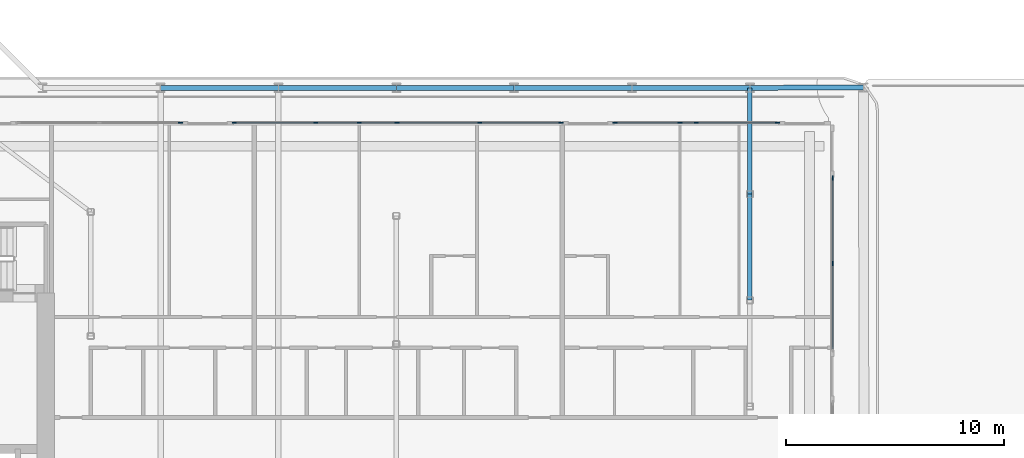
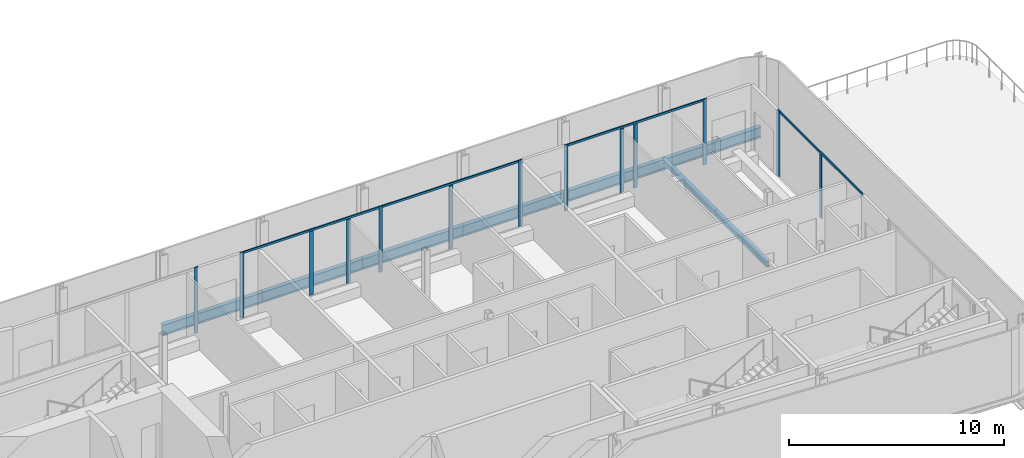
# One storey, part 6 of 27: 17 members, 8 beams, 5 elements without a shape of their own.
"""IFC4 building model written with IfcOpenShell, lengths in metres."""

import ifcopenshell
import ifcopenshell.guid

model = None  # the IFC model being written
_history = None  # IfcOwnerHistory: only IFC2X3 demands one
_inside = {}  # id of a spatial element -> (the spatial element, [elements in it])
_under = {}  # id of a project, library or spatial element -> (it, [spatial elements below it])
_declared = {}  # id of a project -> (the project, [libraries it declares])
_typed = {}  # id of a type object -> (the type object, [elements of that type])
_made_of = {}  # id of a material, layer set ... -> (it, [elements and type objects made of it])


def new_model(schema):
    """Start an empty IFC model of exactly this schema.

    Asked for "IFC4X3", IfcOpenShell would pick the latest addendum, in which some entities
    have other attributes; the version numbers below select the first issue.
    IFC2X3 requires an IfcOwnerHistory on every rooted entity: one is made here for all.
    """
    global model, _history
    if schema == "IFC4X3":
        model = ifcopenshell.file(schema_version=(4, 3, 0, 0))
    else:
        model = ifcopenshell.file(schema=schema)
    _inside.clear()
    _under.clear()
    _declared.clear()
    _typed.clear()
    _made_of.clear()
    _history = None
    if model.schema == "IFC2X3":
        org = make("IfcOrganization", Name="unknown")
        user = make(
            "IfcPersonAndOrganization",
            ThePerson=make("IfcPerson", FamilyName="unknown"),
            TheOrganization=org,
        )
        app = make(
            "IfcApplication",
            ApplicationDeveloper=org,
            Version="unknown",
            ApplicationFullName="unknown",
            ApplicationIdentifier="unknown",
        )
        _history = make(
            "IfcOwnerHistory",
            OwningUser=user,
            OwningApplication=app,
            ChangeAction="ADDED",
            CreationDate=0,
        )
    return model


def make(cls, **values):
    """One entity of the class cls with the attributes given. An attribute that is None is left unset."""
    return model.create_entity(
        cls, **{name: value for name, value in values.items() if value is not None}
    )


def rooted(cls, **values):
    """An entity with a GlobalId (a new one), such as an element, a storey or a relation."""
    return make(cls, GlobalId=ifcopenshell.guid.new(), OwnerHistory=_history, **values)


def si_unit(unit_type, name, prefix=None):
    """IfcSIUnit, for example si_unit("LENGTHUNIT", "METRE", prefix="MILLI")."""
    return make("IfcSIUnit", UnitType=unit_type, Prefix=prefix, Name=name)


def assignment(units):
    """IfcUnitAssignment: the units of a project."""
    return None if units is None else make("IfcUnitAssignment", Units=units)


def point(xyz):
    """IfcCartesianPoint."""
    return None if xyz is None else make("IfcCartesianPoint", Coordinates=xyz)


def direction(xyz):
    """IfcDirection."""
    return None if xyz is None else make("IfcDirection", DirectionRatios=xyz)


def frame(location, z_axis=None, x_axis=None):
    """IfcAxis2Placement3D, a coordinate frame: its origin and axes. An axis left out is left unset."""
    return make(
        "IfcAxis2Placement3D",
        Location=point(location),
        Axis=direction(z_axis),
        RefDirection=direction(x_axis),
    )


def frame_2d(location, x_axis=None):
    """IfcAxis2Placement2D, a coordinate frame in the plane: its origin and x axis."""
    return make(
        "IfcAxis2Placement2D", Location=point(location), RefDirection=direction(x_axis)
    )


def origin():
    """The frame at (0, 0, 0) with its axes left unset."""
    return frame((0.0, 0.0, 0.0))


def origin_2d():
    """The frame at (0, 0) in the plane with its x axis left unset."""
    return frame_2d((0.0, 0.0))


def place(relative_to, where):
    """IfcLocalPlacement: puts the frame where relative to a parent placement (None: the world)."""
    return make(
        "IfcLocalPlacement", PlacementRelTo=relative_to, RelativePlacement=where
    )


def context(
    kind, dimensions, precision=None, world=None, true_north=None, identifier=None
):
    """IfcGeometricRepresentationContext, for example the 3D "Model" context."""
    return make(
        "IfcGeometricRepresentationContext",
        ContextIdentifier=identifier,
        ContextType=kind,
        CoordinateSpaceDimension=dimensions,
        Precision=precision,
        WorldCoordinateSystem=world,
        TrueNorth=true_north,
    )


def subcontext(parent, identifier, kind, view, scale=None):
    """IfcGeometricRepresentationSubContext, for example "Body" below "Model"."""
    return make(
        "IfcGeometricRepresentationSubContext",
        ContextIdentifier=identifier,
        ContextType=kind,
        ParentContext=parent,
        TargetScale=scale,
        TargetView=view,
    )


def project(units=None, contexts=None):
    """IfcProject with its units and contexts."""
    return rooted(
        "IfcProject",
        Name="project",
        RepresentationContexts=contexts,
        UnitsInContext=assignment(units),
    )


def spatial(cls, under=None, at=None, **own):
    """A site, building, storey or space (cls), placed at a placement, below another one or the project."""
    s = rooted(cls, ObjectPlacement=at, **own)
    if under is not None:
        _under.setdefault(under.id(), (under, []))[1].append(s)
    return s


def profile(cls, at=None, kind="AREA", **sizes):
    """A parametric profile (cls). Its sizes go by their IFC names, for example OverallWidth=200.0."""
    return make(cls, ProfileType=kind, Position=at, **sizes)


def rectangle(**sizes):
    """IfcRectangleProfileDef."""
    return profile("IfcRectangleProfileDef", **sizes)


def i_section(**sizes):
    """IfcIShapeProfileDef."""
    return profile("IfcIShapeProfileDef", **sizes)


def extrude(swept, where, along, depth):
    """IfcExtrudedAreaSolid: the profile swept, set in the frame where, extruded along a direction by depth."""
    return make(
        "IfcExtrudedAreaSolid",
        SweptArea=swept,
        Position=where,
        ExtrudedDirection=direction(along),
        Depth=depth,
    )


def shape(context_of_items, identifier, shape_type, items):
    """IfcShapeRepresentation: the items that make up one representation, for example the "Body"."""
    return make(
        "IfcShapeRepresentation",
        ContextOfItems=context_of_items,
        RepresentationIdentifier=identifier,
        RepresentationType=shape_type,
        Items=items,
    )


def material(Name=None, Category=None):
    """IfcMaterial."""
    return make("IfcMaterial", Name=Name, Category=Category)


def layer(
    of_material, thickness, ventilated=None, Name=None, Category=None, Priority=None
):
    """IfcMaterialLayer: one layer of a wall or slab, of a material (None: an air gap)."""
    return make(
        "IfcMaterialLayer",
        Material=of_material,
        LayerThickness=thickness,
        IsVentilated=ventilated,
        Name=Name,
        Category=Category,
        Priority=Priority,
    )


def layer_set(layers, Name=None):
    """IfcMaterialLayerSet."""
    return make("IfcMaterialLayerSet", MaterialLayers=layers, LayerSetName=Name)


def material_profile(
    of_material, cross_section, Name=None, Category=None, Priority=None
):
    """IfcMaterialProfile: a cross section and its material."""
    return make(
        "IfcMaterialProfile",
        Name=Name,
        Material=of_material,
        Profile=cross_section,
        Priority=Priority,
        Category=Category,
    )


def profile_set(profiles, Name=None, composite=None):
    """IfcMaterialProfileSet."""
    return make(
        "IfcMaterialProfileSet",
        Name=Name,
        MaterialProfiles=profiles,
        CompositeProfile=composite,
    )


def made_of(thing, what):
    """Note that an element or type object is made of a material, layer set ...; save() writes the relation."""
    if what is not None:
        _made_of.setdefault(what.id(), (what, []))[1].append(thing)
    return thing


def type_object(cls, material=None, **own):
    """A type object (cls), such as IfcWallType, which elements share."""
    return made_of(rooted(cls, **own), material)


def element(
    cls,
    number,
    at=None,
    inside=None,
    cuts=None,
    type_object=None,
    material=None,
    context=None,
    identifier="Body",
    shape_type=None,
    held_by="IfcProductDefinitionShape",
    body=None,
    shapes=None,
    **own,
):
    """One element of the class cls, such as IfcWall. Its Tag is "e" and its number.

    at: its placement. inside: the storey or other place that contains it. cuts: it is an
    opening in that element (IfcRelVoidsElement). A single representation is given by context,
    identifier, shape_type and body (its items); several are given by shapes. held_by: the class
    of the entity that holds the representations. save() writes the other relations.
    """
    e = rooted(cls, Tag="e%d" % number, ObjectPlacement=at, **own)
    if body is not None:
        shapes = [shape(context, identifier, shape_type, body)]
    if shapes is not None:
        e.Representation = make(held_by, Representations=shapes)
    if inside is not None:
        _inside.setdefault(inside.id(), (inside, []))[1].append(e)
    if cuts is not None:
        rooted(
            "IfcRelVoidsElement", RelatingBuildingElement=cuts, RelatedOpeningElement=e
        )
    if type_object is not None:
        _typed.setdefault(type_object.id(), (type_object, []))[1].append(e)
    return made_of(e, material)


def aggregate(whole, parts):
    """IfcRelAggregates: a whole, such as a stair, and the parts it consists of."""
    return rooted("IfcRelAggregates", RelatingObject=whole, RelatedObjects=parts)


def save(model, path):
    """Write the relations noted so far, then the file.

    IfcRelAggregates (storeys below a building ...), IfcRelContainedInSpatialStructure (elements
    in a storey), IfcRelDefinesByType, IfcRelAssociatesMaterial and IfcRelDeclares: one each for
    every whole, place, type object, material and project.
    """
    for whole, parts in _under.values():
        aggregate(whole, parts)
    for where, things in _inside.values():
        rooted(
            "IfcRelContainedInSpatialStructure",
            RelatedElements=things,
            RelatingStructure=where,
        )
    for kind, things in _typed.values():
        rooted("IfcRelDefinesByType", RelatedObjects=things, RelatingType=kind)
    for what, things in _made_of.values():
        rooted("IfcRelAssociatesMaterial", RelatedObjects=things, RelatingMaterial=what)
    for by, libraries in _declared.values():
        rooted("IfcRelDeclares", RelatingContext=by, RelatedDefinitions=libraries)
    model.write(path)


model = new_model("IFC4")

# Units and contexts
model_context = context("Model", 3, precision=1e-05, world=origin(), true_north=direction((0.0, 1.0)))
body_context = subcontext(model_context, "Body", "Model", "MODEL_VIEW")
ifc_project = project(units=[si_unit("LENGTHUNIT", "METRE"), si_unit("AREAUNIT", "SQUARE_METRE"), si_unit("VOLUMEUNIT", "CUBIC_METRE"), si_unit("PLANEANGLEUNIT", "RADIAN"), si_unit("MASSUNIT", "GRAM", prefix="KILO")], contexts=[model_context])

# Site, building, storey
site_placement = place(None, origin())
site = spatial("IfcSite", under=ifc_project, at=site_placement, CompositionType="ELEMENT")
building_placement = place(site_placement, origin())
building = spatial("IfcBuilding", under=site, at=building_placement, Name="Kheshtan School and Residences Tower", CompositionType="ELEMENT")
storey_placement = place(building_placement, frame((0.0, 0.0, 152.60009765625)))
storey = spatial("IfcBuildingStorey", under=building, at=storey_placement, Name="L35", CompositionType="ELEMENT", Elevation=152.60009765625)

# Beams
ifc_material_1 = material(Name="Steel ASTM A992 Grade 50", Category="steel")
ifc_material_profile_1 = material_profile(ifc_material_1, i_section(OverallWidth=0.202880859375, OverallDepth=0.302978515625, WebThickness=0.007568359375, FlangeThickness=0.01318359375, FilletRadius=0.009033203125, at=origin_2d()), Name="W310x60")
ifc_profile_set_1 = profile_set([ifc_material_profile_1], Name="Steel ASTM A992 Grade 50")
beam_type_1 = type_object("IfcBeamType", Name="Beam FB1 W310x60 ASTM A992 Grade 50", PredefinedType="BEAM", material=ifc_profile_set_1)
for number, where, z_axis, x_axis, name in (
    (1, (85.39990234375, 45.60009765625, -0.301513671875), (0.0, -1.0, 0.0), (1.0, 0.0, 0.0), "Floor beam C067"),
    (2, (85.39990234375, 40.735107421875, -0.301513671875), (0.0, -1.0, 0.0), (1.0, 0.0, 0.0), "Floor beam IC"),
):
    element("IfcBeam", number, at=place(storey_placement, frame(where, z_axis=z_axis, x_axis=x_axis)), inside=storey, type_object=beam_type_1, Name=name, PredefinedType="BEAM", context=body_context, shape_type="SweptSolid", body=[
        extrude(i_section(OverallWidth=0.202880859375, OverallDepth=0.302978515625, WebThickness=0.007568359375, FlangeThickness=0.01318359375, FilletRadius=0.009033203125, at=origin_2d()), origin(), (0.0, 0.0, 1.0), 4.864990234375),
    ])
ifc_material_profile_2 = material_profile(ifc_material_1, i_section(OverallWidth=0.22802734375, OverallDepth=0.60302734375, WebThickness=0.010498046875, FlangeThickness=0.014892578125, FilletRadius=0.013427734375, at=origin_2d()), Name="W610x101")
ifc_profile_set_2 = profile_set([ifc_material_profile_2], Name="Steel ASTM A992 Grade 50")
beam_type_2 = type_object("IfcBeamType", Name="Beam SP2 W610x101 ASTM A992 Grade 50", PredefinedType="BEAM", material=ifc_profile_set_2)
beam_1_placement = place(storey_placement, frame((58.39990234375, 45.60009765625, -0.45166015625), z_axis=(1.0, 0.0, 0.0), x_axis=(0.0, 1.0, 0.0)))
element("IfcBeam", 3, at=beam_1_placement, inside=storey, type_object=beam_type_2, Name="Spandrel beam C062-C063", PredefinedType="BEAM", context=body_context, shape_type="SweptSolid", body=[
    extrude(i_section(OverallWidth=0.22802734375, OverallDepth=0.60302734375, WebThickness=0.010498046875, FlangeThickness=0.014892578125, FilletRadius=0.013427734375, at=origin_2d()), origin(), (0.0, 0.0, 1.0), 5.400146484375),
])
beam_2_placement = place(storey_placement, frame((63.800048828125, 45.60009765625, -0.45166015625), z_axis=(1.0, 0.0, 0.0), x_axis=(0.0, 1.0, 0.0)))
element("IfcBeam", 4, at=beam_2_placement, inside=storey, type_object=beam_type_2, Name="Spandrel beam C063-C064", PredefinedType="BEAM", context=body_context, shape_type="SweptSolid", body=[
    extrude(i_section(OverallWidth=0.22802734375, OverallDepth=0.60302734375, WebThickness=0.010498046875, FlangeThickness=0.014892578125, FilletRadius=0.013427734375, at=origin_2d()), origin(), (0.0, 0.0, 1.0), 5.39990234375),
])
beam_3_placement = place(storey_placement, frame((69.199951171875, 45.60009765625, -0.45166015625), z_axis=(1.0, 0.0, 0.0), x_axis=(0.0, 1.0, 0.0)))
element("IfcBeam", 5, at=beam_3_placement, inside=storey, type_object=beam_type_2, Name="Spandrel beam C064-C065", PredefinedType="BEAM", context=body_context, shape_type="SweptSolid", body=[
    extrude(i_section(OverallWidth=0.22802734375, OverallDepth=0.60302734375, WebThickness=0.010498046875, FlangeThickness=0.014892578125, FilletRadius=0.013427734375, at=origin_2d()), origin(), (0.0, 0.0, 1.0), 5.400146484375),
])
for number, where, z_axis, x_axis, name in (
    (6, (74.60009765625, 45.60009765625, -0.45166015625), (1.0, 0.0, 0.0), (0.0, 1.0, 0.0), "Spandrel beam C065-C066"),
    (7, (80.0, 45.60009765625, -0.45166015625), (1.0, 0.0, 0.0), (0.0, 1.0, 0.0), "Spandrel beam C066-C067"),
):
    element("IfcBeam", number, at=place(storey_placement, frame(where, z_axis=z_axis, x_axis=x_axis)), inside=storey, type_object=beam_type_2, Name=name, PredefinedType="BEAM", context=body_context, shape_type="SweptSolid", body=[
        extrude(i_section(OverallWidth=0.22802734375, OverallDepth=0.60302734375, WebThickness=0.010498046875, FlangeThickness=0.014892578125, FilletRadius=0.013427734375, at=origin_2d()), origin(), (0.0, 0.0, 1.0), 5.39990234375),
    ])
beam_4_placement = place(storey_placement, frame((85.39990234375, 45.60009765625, -0.45166015625), z_axis=(0.99999185222, 0.00403676771, 0.0), x_axis=(-0.00403676771, 0.99999185222, 0.0)))
element("IfcBeam", 8, at=beam_4_placement, inside=storey, type_object=beam_type_2, Name="Spandrel beam C067-C075", PredefinedType="BEAM", context=body_context, shape_type="SweptSolid", body=[
    extrude(i_section(OverallWidth=0.22802734375, OverallDepth=0.60302734375, WebThickness=0.010498046875, FlangeThickness=0.014892578125, FilletRadius=0.013427734375, at=origin_2d()), origin(), (0.0, 0.0, 1.0), 5.201171875),
])

# Curtain wall, member
ifc_material_2 = material(Name="Clear low-e glass in thermally broken aluminium frame", Category="aluminium")
ifc_layer = layer(ifc_material_2, 0.199951171875)
ifc_layer_set = layer_set([ifc_layer], Name="Curtain wall CW-L")
curtain_wall_type = type_object("IfcCurtainWallType", Name="Curtain wall CW-L", PredefinedType="NOTDEFINED", material=ifc_layer_set)
curtain_wall_1_placement = place(storey_placement, origin())
curtain_wall_1 = element("IfcCurtainWall", 9, at=curtain_wall_1_placement, inside=storey, type_object=curtain_wall_type, Name="Curtain wall CWL12a", PredefinedType="NOTDEFINED")
ifc_material_3 = material(Name="Thermally broken aluminium, dark bronze anodised", Category="aluminium")
ifc_material_profile_3 = material_profile(ifc_material_3, rectangle(XDim=0.06005859375, YDim=0.199951171875, at=origin_2d()), Name="CW-L mullion 60x200")
ifc_profile_set_3 = profile_set([ifc_material_profile_3], Name="Thermally broken aluminium, dark bronze anodised")
member_type_1 = type_object("IfcMemberType", Name="CW-L mullion 60x200", PredefinedType="MULLION", material=ifc_profile_set_3)
member_1_placement = place(storey_placement, frame((59.3173828125, 44.0, 0.0), z_axis=(0.0, 0.0, 1.0), x_axis=(0.0, 1.0, 0.0)))
member_1 = element("IfcMember", 10, at=member_1_placement, type_object=member_type_1, Name="CWL12a mullion 3", PredefinedType="MULLION", context=body_context, shape_type="SweptSolid", body=[
    extrude(rectangle(XDim=0.06005859375, YDim=0.199951171875, at=origin_2d()), origin(), (0.0, 0.0, 1.0), 3.75),
])
aggregate(curtain_wall_1, [member_1])

# Curtain wall, members
curtain_wall_2_placement = place(storey_placement, origin())
curtain_wall_2 = element("IfcCurtainWall", 11, at=curtain_wall_2_placement, inside=storey, type_object=curtain_wall_type, Name="Curtain wall CWL12", PredefinedType="NOTDEFINED")
member_2_placement = place(storey_placement, frame((61.777587890625, 44.0, 0.0), z_axis=(0.0, 0.0, 1.0), x_axis=(0.0, 1.0, 0.0)))
member_2 = element("IfcMember", 12, at=member_2_placement, type_object=member_type_1, Name="CWL12 mullion 1", PredefinedType="MULLION", context=body_context, shape_type="SweptSolid", body=[
    extrude(rectangle(XDim=0.06005859375, YDim=0.199951171875, at=origin_2d()), origin(), (0.0, 0.0, 1.0), 3.75),
])
member_3_placement = place(storey_placement, frame((65.50634765625, 44.0, 0.0), z_axis=(0.0, 0.0, 1.0), x_axis=(0.0, 1.0, 0.0)))
member_3 = element("IfcMember", 13, at=member_3_placement, type_object=member_type_1, Name="CWL12 mullion 2", PredefinedType="MULLION", context=body_context, shape_type="SweptSolid", body=[
    extrude(rectangle(XDim=0.06005859375, YDim=0.199951171875, at=origin_2d()), origin(), (0.0, 0.0, 1.0), 3.6298828125),
])
member_4_placement = place(storey_placement, frame((67.5, 44.0, 0.0), z_axis=(0.0, 0.0, 1.0), x_axis=(0.0, 1.0, 0.0)))
member_4 = element("IfcMember", 14, at=member_4_placement, type_object=member_type_1, Name="CWL12 mullion 3", PredefinedType="MULLION", context=body_context, shape_type="SweptSolid", body=[
    extrude(rectangle(XDim=0.06005859375, YDim=0.199951171875, at=origin_2d()), origin(), (0.0, 0.0, 1.0), 3.6298828125),
])
member_5_placement = place(storey_placement, frame((69.235107421875, 44.0, 0.0), z_axis=(0.0, 0.0, 1.0), x_axis=(0.0, 1.0, 0.0)))
member_5 = element("IfcMember", 15, at=member_5_placement, type_object=member_type_1, Name="CWL12 mullion 4", PredefinedType="MULLION", context=body_context, shape_type="SweptSolid", body=[
    extrude(rectangle(XDim=0.06005859375, YDim=0.199951171875, at=origin_2d()), origin(), (0.0, 0.0, 1.0), 3.75),
])

curtain_wall_3_placement = place(storey_placement, origin())
curtain_wall_3 = element("IfcCurtainWall", 16, at=curtain_wall_3_placement, inside=storey, type_object=curtain_wall_type, Name="Curtain wall CWL12a", PredefinedType="NOTDEFINED")
member_6_placement = place(storey_placement, frame((73.023681640625, 44.0, 0.0), z_axis=(0.0, 0.0, 1.0), x_axis=(0.0, 1.0, 0.0)))
member_6 = element("IfcMember", 17, at=member_6_placement, type_object=member_type_1, Name="CWL12a mullion 2", PredefinedType="MULLION", context=body_context, shape_type="SweptSolid", body=[
    extrude(rectangle(XDim=0.06005859375, YDim=0.199951171875, at=origin_2d()), origin(), (0.0, 0.0, 1.0), 3.6298828125),
])
member_7_placement = place(storey_placement, frame((76.75244140625, 44.0, 0.0), z_axis=(0.0, 0.0, 1.0), x_axis=(0.0, 1.0, 0.0)))
member_7 = element("IfcMember", 18, at=member_7_placement, type_object=member_type_1, Name="CWL12a mullion 3", PredefinedType="MULLION", context=body_context, shape_type="SweptSolid", body=[
    extrude(rectangle(XDim=0.06005859375, YDim=0.199951171875, at=origin_2d()), origin(), (0.0, 0.0, 1.0), 3.75),
])

curtain_wall_4_placement = place(storey_placement, origin())
curtain_wall_4 = element("IfcCurtainWall", 19, at=curtain_wall_4_placement, inside=storey, type_object=curtain_wall_type, Name="Curtain wall CWL12", PredefinedType="NOTDEFINED")
member_8_placement = place(storey_placement, frame((79.21240234375, 44.0, 0.0), z_axis=(0.0, 0.0, 1.0), x_axis=(0.0, 1.0, 0.0)))
member_8 = element("IfcMember", 20, at=member_8_placement, type_object=member_type_1, Name="CWL12 mullion 1", PredefinedType="MULLION", context=body_context, shape_type="SweptSolid", body=[
    extrude(rectangle(XDim=0.06005859375, YDim=0.199951171875, at=origin_2d()), origin(), (0.0, 0.0, 1.0), 3.75),
])
member_9_placement = place(storey_placement, frame((82.199951171875, 44.0, 0.0), z_axis=(0.0, 0.0, 1.0), x_axis=(0.0, 1.0, 0.0)))
member_9 = element("IfcMember", 21, at=member_9_placement, type_object=member_type_1, Name="CWL12 mullion 2", PredefinedType="MULLION", context=body_context, shape_type="SweptSolid", body=[
    extrude(rectangle(XDim=0.06005859375, YDim=0.199951171875, at=origin_2d()), origin(), (0.0, 0.0, 1.0), 3.6298828125),
])
member_10_placement = place(storey_placement, frame((82.941162109375, 44.0, 0.0), z_axis=(0.0, 0.0, 1.0), x_axis=(0.0, 1.0, 0.0)))
member_10 = element("IfcMember", 22, at=member_10_placement, type_object=member_type_1, Name="CWL12 mullion 3", PredefinedType="MULLION", context=body_context, shape_type="SweptSolid", body=[
    extrude(rectangle(XDim=0.06005859375, YDim=0.199951171875, at=origin_2d()), origin(), (0.0, 0.0, 1.0), 3.6298828125),
])
member_11_placement = place(storey_placement, frame((86.669921875, 44.0, 0.0), z_axis=(0.0, 0.0, 1.0), x_axis=(0.0, 1.0, 0.0)))
member_11 = element("IfcMember", 23, at=member_11_placement, type_object=member_type_1, Name="CWL12 mullion 4", PredefinedType="MULLION", context=body_context, shape_type="SweptSolid", body=[
    extrude(rectangle(XDim=0.06005859375, YDim=0.199951171875, at=origin_2d()), origin(), (0.0, 0.0, 1.0), 3.75),
])

curtain_wall_5_placement = place(storey_placement, origin())
curtain_wall_5 = element("IfcCurtainWall", 24, at=curtain_wall_5_placement, inside=storey, type_object=curtain_wall_type, Name="Curtain wall CWL13", PredefinedType="NOTDEFINED")
member_12_placement = place(storey_placement, frame((89.199951171875, 41.469970703125, 0.0), z_axis=(0.0, 0.0, 1.0), x_axis=(1.0, 0.0, 0.0)))
member_12 = element("IfcMember", 25, at=member_12_placement, type_object=member_type_1, Name="CWL13 mullion 1", PredefinedType="MULLION", context=body_context, shape_type="SweptSolid", body=[
    extrude(rectangle(XDim=0.06005859375, YDim=0.199951171875, at=origin_2d()), origin(), (0.0, 0.0, 1.0), 3.75),
])
member_13_placement = place(storey_placement, frame((89.199951171875, 37.545654296875, 0.0), z_axis=(0.0, 0.0, 1.0), x_axis=(1.0, 0.0, 0.0)))
member_13 = element("IfcMember", 26, at=member_13_placement, type_object=member_type_1, Name="CWL13 mullion 2", PredefinedType="MULLION", context=body_context, shape_type="SweptSolid", body=[
    extrude(rectangle(XDim=0.06005859375, YDim=0.199951171875, at=origin_2d()), origin(), (0.0, 0.0, 1.0), 3.6298828125),
])

# Member
ifc_material_profile_4 = material_profile(ifc_material_3, rectangle(XDim=0.06005859375, YDim=0.1201171875, at=origin_2d()), Name="CW-L transom 60x120")
ifc_profile_set_4 = profile_set([ifc_material_profile_4], Name="Thermally broken aluminium, dark bronze anodised")
member_type_2 = type_object("IfcMemberType", Name="CW-L transom 60x120", PredefinedType="USERDEFINED", material=ifc_profile_set_4)
member_14_placement = place(storey_placement, frame((61.8076171875, 44.0, 3.68994140625), z_axis=(1.0, 0.0, 0.0), x_axis=(0.0, 1.0, 0.0)))
member_14 = element("IfcMember", 27, at=member_14_placement, type_object=member_type_2, Name="CWL12 transom 1", ObjectType="TRANSOM", PredefinedType="USERDEFINED", context=body_context, shape_type="SweptSolid", body=[
    extrude(rectangle(XDim=0.06005859375, YDim=0.1201171875, at=origin_2d()), origin(), (0.0, 0.0, 1.0), 7.3974609375),
])

aggregate(curtain_wall_2, [member_2, member_3, member_4, member_5, member_14])

member_15_placement = place(storey_placement, frame((69.264892578125, 44.0, 3.68994140625), z_axis=(1.0, 0.0, 0.0), x_axis=(0.0, 1.0, 0.0)))
member_15 = element("IfcMember", 28, at=member_15_placement, type_object=member_type_2, Name="CWL12a transom 1", ObjectType="TRANSOM", PredefinedType="USERDEFINED", context=body_context, shape_type="SweptSolid", body=[
    extrude(rectangle(XDim=0.06005859375, YDim=0.1201171875, at=origin_2d()), origin(), (0.0, 0.0, 1.0), 7.45751953125),
])

aggregate(curtain_wall_3, [member_6, member_7, member_15])

member_16_placement = place(storey_placement, frame((79.242431640625, 44.0, 3.68994140625), z_axis=(1.0, 0.0, 0.0), x_axis=(0.0, 1.0, 0.0)))
member_16 = element("IfcMember", 29, at=member_16_placement, type_object=member_type_2, Name="CWL12 transom 1", ObjectType="TRANSOM", PredefinedType="USERDEFINED", context=body_context, shape_type="SweptSolid", body=[
    extrude(rectangle(XDim=0.06005859375, YDim=0.1201171875, at=origin_2d()), origin(), (0.0, 0.0, 1.0), 7.3974609375),
])

aggregate(curtain_wall_4, [member_8, member_9, member_10, member_11, member_16])

member_17_placement = place(storey_placement, frame((89.199951171875, 41.43994140625, 3.68994140625), z_axis=(0.0, -1.0, 0.0), x_axis=(1.0, 0.0, 0.0)))
member_17 = element("IfcMember", 30, at=member_17_placement, type_object=member_type_2, Name="CWL13 transom 1", ObjectType="TRANSOM", PredefinedType="USERDEFINED", context=body_context, shape_type="SweptSolid", body=[
    extrude(rectangle(XDim=0.06005859375, YDim=0.1201171875, at=origin_2d()), origin(), (0.0, 0.0, 1.0), 7.788330078125),
])

aggregate(curtain_wall_5, [member_12, member_13, member_17])

save(model, "model.ifc")
